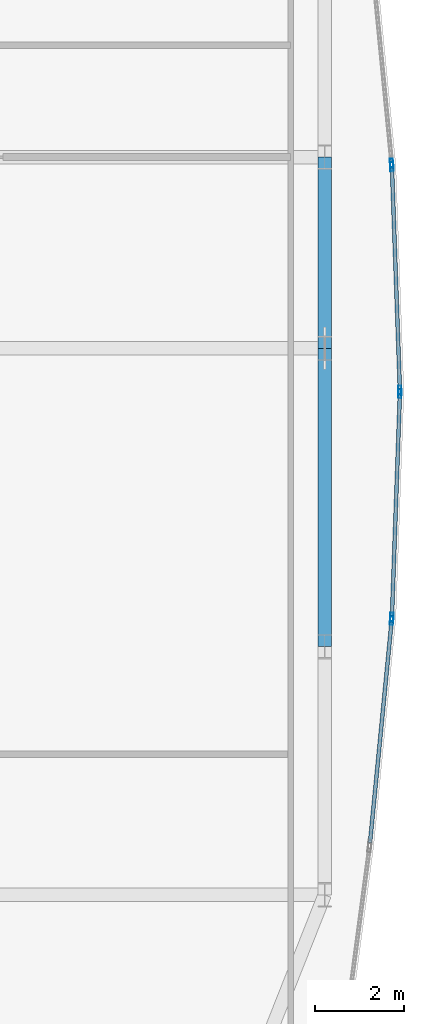
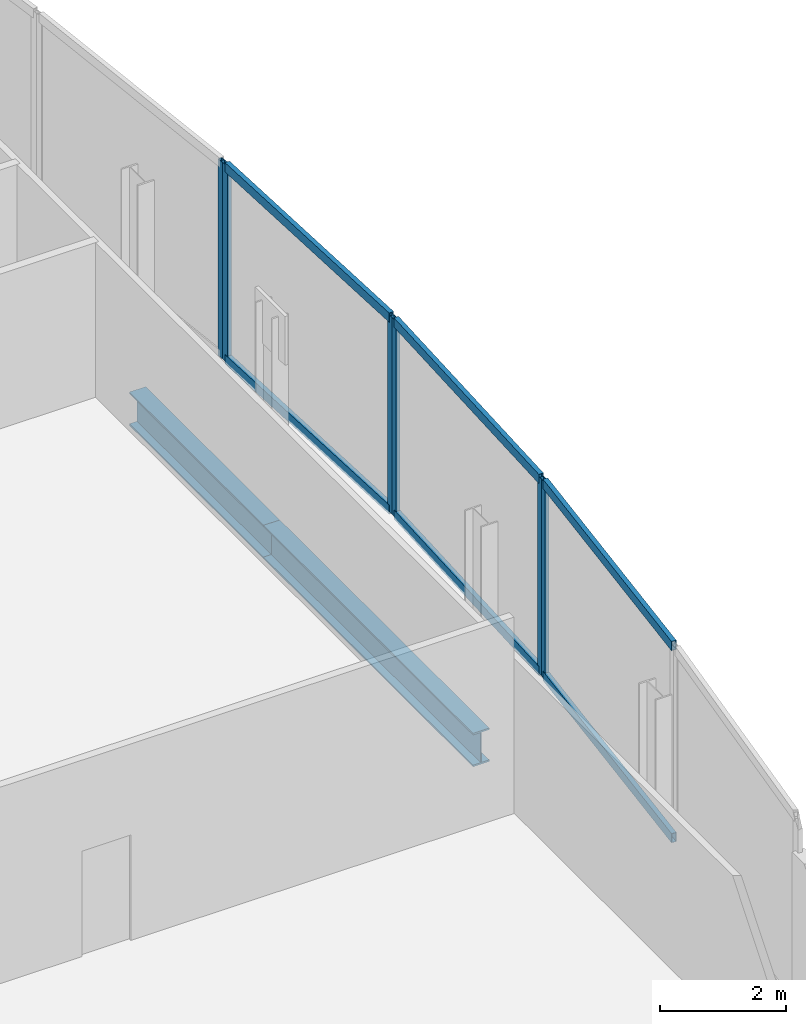
# One storey, part 22 of 35: 12 members, 2 beams, 4 elements without a shape of their own.
"""IFC4 building model written with IfcOpenShell, lengths in metres."""

from ifc_helpers import new_model, si_unit, direction, frame, origin, origin_2d, place, context, subcontext, project, spatial, hollow_rectangle, i_section, extrude, material, material_profile, profile_set, type_object, element, aggregate, save


model = new_model("IFC4")

# Units and contexts
model_context = context("Model", 3, precision=1e-05, world=origin(), true_north=direction((0.0, 1.0)))
body_context = subcontext(model_context, "Body", "Model", "MODEL_VIEW")
ifc_project = project(units=[si_unit("LENGTHUNIT", "METRE"), si_unit("AREAUNIT", "SQUARE_METRE"), si_unit("VOLUMEUNIT", "CUBIC_METRE"), si_unit("PLANEANGLEUNIT", "RADIAN"), si_unit("MASSUNIT", "GRAM", prefix="KILO")], contexts=[model_context])

# Site, building, storey
site_placement = place(None, origin())
site = spatial("IfcSite", under=ifc_project, at=site_placement, CompositionType="ELEMENT")
building_placement = place(site_placement, origin())
building = spatial("IfcBuilding", under=site, at=building_placement, Name="Khoronbel Lancet Exchange", CompositionType="ELEMENT")
storey_placement = place(building_placement, frame((0.0, 0.0, 69.800048828125)))
storey = spatial("IfcBuildingStorey", under=building, at=storey_placement, Name="L16", CompositionType="ELEMENT", Elevation=69.800048828125)

# Beams
ifc_material_1 = material(Name="Steel S355", Category="steel")
ifc_material_profile_1 = material_profile(ifc_material_1, i_section(OverallWidth=0.300048828125, OverallDepth=0.64990234375, WebThickness=0.01611328125, FlangeThickness=0.031005859375, at=origin_2d()), Name="HEB 650")
ifc_profile_set_1 = profile_set([ifc_material_profile_1], Name="Steel S355")
beam_type = type_object("IfcBeamType", Name="BM-BSP1", PredefinedType="SPANDREL", material=ifc_profile_set_1)
beam_1_placement = place(storey_placement, frame((71.6298828125, 24.75, -0.505126953125), z_axis=(0.0, 1.0, 0.0), x_axis=(-1.0, 0.0, 0.0)))
element("IfcBeam", 1, at=beam_1_placement, inside=storey, type_object=beam_type, Name="Level L16 perimeter spandrel beam SP12", PredefinedType="SPANDREL", context=body_context, shape_type="SweptSolid", body=[
    extrude(i_section(OverallWidth=0.300048828125, OverallDepth=0.64990234375, WebThickness=0.01611328125, FlangeThickness=0.031005859375, at=origin_2d()), origin(), (0.0, 0.0, 1.0), 6.675048828125),
])
beam_2_placement = place(storey_placement, frame((71.6298828125, 31.425048828125, -0.505126953125), z_axis=(0.0, 1.0, 0.0), x_axis=(-1.0, 0.0, 0.0)))
element("IfcBeam", 2, at=beam_2_placement, inside=storey, type_object=beam_type, Name="Level L16 perimeter spandrel beam SP13", PredefinedType="SPANDREL", context=body_context, shape_type="SweptSolid", body=[
    extrude(i_section(OverallWidth=0.300048828125, OverallDepth=0.64990234375, WebThickness=0.01611328125, FlangeThickness=0.031005859375, at=origin_2d()), origin(), (0.0, 0.0, 1.0), 4.27490234375),
])

# Curtain wall, member
ifc_material_2 = material(Name="Low-E Solar Control Insulating Glass", Category="glass")
curtain_wall_type = type_object("IfcCurtainWallType", Name="CW-4", PredefinedType="NOTDEFINED", material=ifc_material_2)
curtain_wall_1_placement = place(storey_placement, origin())
curtain_wall_1 = element("IfcCurtainWall", 3, at=curtain_wall_1_placement, inside=storey, type_object=curtain_wall_type, Name="Unitised curtain wall CW-L16-E18", PredefinedType="NOTDEFINED")
ifc_material_3 = material(Name="Bronze-Anodised Aluminium 6063-T6", Category="aluminium")
ifc_material_profile_2 = material_profile(ifc_material_3, hollow_rectangle(XDim=0.074951171875, YDim=0.199951171875, WallThickness=0.0048828125, at=origin_2d()), Name="ALU MULLION 75x200")
ifc_profile_set_2 = profile_set([ifc_material_profile_2], Name="Bronze-Anodised Aluminium 6063-T6")
member_type_1 = type_object("IfcMemberType", Name="MEM-CWM2", PredefinedType="MULLION", material=ifc_profile_set_2)
member_1_placement = place(storey_placement, frame((73.13037109375, 35.564697265625, 0.0), z_axis=(0.0, 0.0, 1.0), x_axis=(0.995271261573, 0.097134524689, 0.0)))
member_1 = element("IfcMember", 4, at=member_1_placement, type_object=member_type_1, Name="CW4 mullion 2", PredefinedType="MULLION", context=body_context, shape_type="SweptSolid", body=[
    extrude(hollow_rectangle(XDim=0.074951171875, YDim=0.199951171875, WallThickness=0.0048828125, at=origin_2d()), origin(), (0.0, 0.0, 1.0), 3.820068359375),
])
aggregate(curtain_wall_1, [member_1])

# Curtain wall, members
curtain_wall_2_placement = place(storey_placement, origin())
curtain_wall_2 = element("IfcCurtainWall", 5, at=curtain_wall_2_placement, inside=storey, type_object=curtain_wall_type, Name="Unitised curtain wall CW-L16-E19", PredefinedType="NOTDEFINED")
member_2_placement = place(storey_placement, frame((73.13525390625, 35.48974609375, 0.0), z_axis=(0.0, 0.0, 1.0), x_axis=(0.999363079992, 0.035685211912, 0.0)))
member_2 = element("IfcMember", 6, at=member_2_placement, type_object=member_type_1, Name="CW4 mullion 1", PredefinedType="MULLION", context=body_context, shape_type="SweptSolid", body=[
    extrude(hollow_rectangle(XDim=0.074951171875, YDim=0.199951171875, WallThickness=0.0048828125, at=origin_2d()), origin(), (0.0, 0.0, 1.0), 3.820068359375),
])
member_3_placement = place(storey_placement, frame((73.31396484375, 30.487548828125, 0.0), z_axis=(0.0, 0.0, 1.0), x_axis=(0.999363079992, 0.035685211912, 0.0)))
member_3 = element("IfcMember", 7, at=member_3_placement, type_object=member_type_1, Name="CW4 mullion 2", PredefinedType="MULLION", context=body_context, shape_type="SweptSolid", body=[
    extrude(hollow_rectangle(XDim=0.074951171875, YDim=0.199951171875, WallThickness=0.0048828125, at=origin_2d()), origin(), (0.0, 0.0, 1.0), 3.820068359375),
])

curtain_wall_3_placement = place(storey_placement, origin())
curtain_wall_3 = element("IfcCurtainWall", 8, at=curtain_wall_3_placement, inside=storey, type_object=curtain_wall_type, Name="Unitised curtain wall CW-L16-E20", PredefinedType="NOTDEFINED")
member_4_placement = place(storey_placement, frame((73.31396484375, 30.41259765625, 0.0), z_axis=(0.0, 0.0, 1.0), x_axis=(0.999363079992, -0.035685211912, 0.0)))
member_4 = element("IfcMember", 9, at=member_4_placement, type_object=member_type_1, Name="CW4 mullion 1", PredefinedType="MULLION", context=body_context, shape_type="SweptSolid", body=[
    extrude(hollow_rectangle(XDim=0.074951171875, YDim=0.199951171875, WallThickness=0.0048828125, at=origin_2d()), origin(), (0.0, 0.0, 1.0), 3.820068359375),
])
member_5_placement = place(storey_placement, frame((73.13525390625, 25.41015625, 0.0), z_axis=(0.0, 0.0, 1.0), x_axis=(0.999363079992, -0.035685211912, 0.0)))
member_5 = element("IfcMember", 10, at=member_5_placement, type_object=member_type_1, Name="CW4 mullion 2", PredefinedType="MULLION", context=body_context, shape_type="SweptSolid", body=[
    extrude(hollow_rectangle(XDim=0.074951171875, YDim=0.199951171875, WallThickness=0.0048828125, at=origin_2d()), origin(), (0.0, 0.0, 1.0), 3.820068359375),
])

# Curtain wall, member
curtain_wall_4_placement = place(storey_placement, origin())
curtain_wall_4 = element("IfcCurtainWall", 11, at=curtain_wall_4_placement, inside=storey, type_object=curtain_wall_type, Name="Unitised curtain wall CW-L16-E21", PredefinedType="NOTDEFINED")
member_6_placement = place(storey_placement, frame((73.13037109375, 25.33544921875, 0.0), z_axis=(0.0, 0.0, 1.0), x_axis=(0.995271261573, -0.097134524689, 0.0)))
member_6 = element("IfcMember", 12, at=member_6_placement, type_object=member_type_1, Name="CW4 mullion 1", PredefinedType="MULLION", context=body_context, shape_type="SweptSolid", body=[
    extrude(hollow_rectangle(XDim=0.074951171875, YDim=0.199951171875, WallThickness=0.0048828125, at=origin_2d()), origin(), (0.0, 0.0, 1.0), 3.820068359375),
])

# Member
ifc_material_profile_3 = material_profile(ifc_material_3, hollow_rectangle(XDim=0.0849609375, YDim=0.179931640625, WallThickness=0.0048828125, at=origin_2d()), Name="ALU TRANSOM 85x180")
ifc_profile_set_3 = profile_set([ifc_material_profile_3], Name="Bronze-Anodised Aluminium 6063-T6")
member_type_2 = type_object("IfcMemberType", Name="MEM-CWT1", PredefinedType="USERDEFINED", material=ifc_profile_set_3)
member_7_placement = place(storey_placement, frame((73.13671875, 35.452392578125, 0.04248046875), z_axis=(0.035700361223, -0.999362538926, 0.0), x_axis=(0.999362538926, 0.035700361223, 0.0)))
member_7 = element("IfcMember", 13, at=member_7_placement, type_object=member_type_2, Name="CW4 transom 1.1", ObjectType="TRANSOM", PredefinedType="USERDEFINED", context=body_context, shape_type="SweptSolid", body=[
    extrude(hollow_rectangle(XDim=0.0849609375, YDim=0.179931640625, WallThickness=0.0048828125, at=origin_2d()), origin(), (0.0, 0.0, 1.0), 4.9306640625),
])

member_8_placement = place(storey_placement, frame((73.13671875, 35.452392578125, 3.77734375), z_axis=(0.035700361223, -0.999362538926, 0.0), x_axis=(0.999362538926, 0.035700361223, 0.0)))
member_8 = element("IfcMember", 14, at=member_8_placement, type_object=member_type_2, Name="CW4 transom 1.2", ObjectType="TRANSOM", PredefinedType="USERDEFINED", context=body_context, shape_type="SweptSolid", body=[
    extrude(hollow_rectangle(XDim=0.0849609375, YDim=0.179931640625, WallThickness=0.0048828125, at=origin_2d()), origin(), (0.0, 0.0, 1.0), 4.9306640625),
])

aggregate(curtain_wall_2, [member_2, member_3, member_7, member_8])

member_9_placement = place(storey_placement, frame((73.312744140625, 30.375, 0.04248046875), z_axis=(-0.035702127889, -0.999362475814, 0.0), x_axis=(0.999362475814, -0.035702127889, 0.0)))
member_9 = element("IfcMember", 15, at=member_9_placement, type_object=member_type_2, Name="CW4 transom 1.1", ObjectType="TRANSOM", PredefinedType="USERDEFINED", context=body_context, shape_type="SweptSolid", body=[
    extrude(hollow_rectangle(XDim=0.0849609375, YDim=0.179931640625, WallThickness=0.0048828125, at=origin_2d()), origin(), (0.0, 0.0, 1.0), 4.930419921875),
])

member_10_placement = place(storey_placement, frame((73.312744140625, 30.375, 3.77734375), z_axis=(-0.035702127889, -0.999362475814, 0.0), x_axis=(0.999362475814, -0.035702127889, 0.0)))
member_10 = element("IfcMember", 16, at=member_10_placement, type_object=member_type_2, Name="CW4 transom 1.2", ObjectType="TRANSOM", PredefinedType="USERDEFINED", context=body_context, shape_type="SweptSolid", body=[
    extrude(hollow_rectangle(XDim=0.0849609375, YDim=0.179931640625, WallThickness=0.0048828125, at=origin_2d()), origin(), (0.0, 0.0, 1.0), 4.930419921875),
])

aggregate(curtain_wall_3, [member_4, member_5, member_9, member_10])

member_11_placement = place(storey_placement, frame((73.126708984375, 25.298095703125, 0.04248046875), z_axis=(-0.097146405733, -0.995270101959, 0.0), x_axis=(0.995270101959, -0.097146405733, 0.0)))
member_11 = element("IfcMember", 17, at=member_11_placement, type_object=member_type_2, Name="CW4 transom 1.1", ObjectType="TRANSOM", PredefinedType="USERDEFINED", context=body_context, shape_type="SweptSolid", body=[
    extrude(hollow_rectangle(XDim=0.0849609375, YDim=0.179931640625, WallThickness=0.0048828125, at=origin_2d()), origin(), (0.0, 0.0, 1.0), 4.953369140625),
])

member_12_placement = place(storey_placement, frame((73.126708984375, 25.298095703125, 3.77734375), z_axis=(-0.097146405733, -0.995270101959, 0.0), x_axis=(0.995270101959, -0.097146405733, 0.0)))
member_12 = element("IfcMember", 18, at=member_12_placement, type_object=member_type_2, Name="CW4 transom 1.2", ObjectType="TRANSOM", PredefinedType="USERDEFINED", context=body_context, shape_type="SweptSolid", body=[
    extrude(hollow_rectangle(XDim=0.0849609375, YDim=0.179931640625, WallThickness=0.0048828125, at=origin_2d()), origin(), (0.0, 0.0, 1.0), 4.953369140625),
])

aggregate(curtain_wall_4, [member_6, member_11, member_12])

save(model, "model.ifc")
